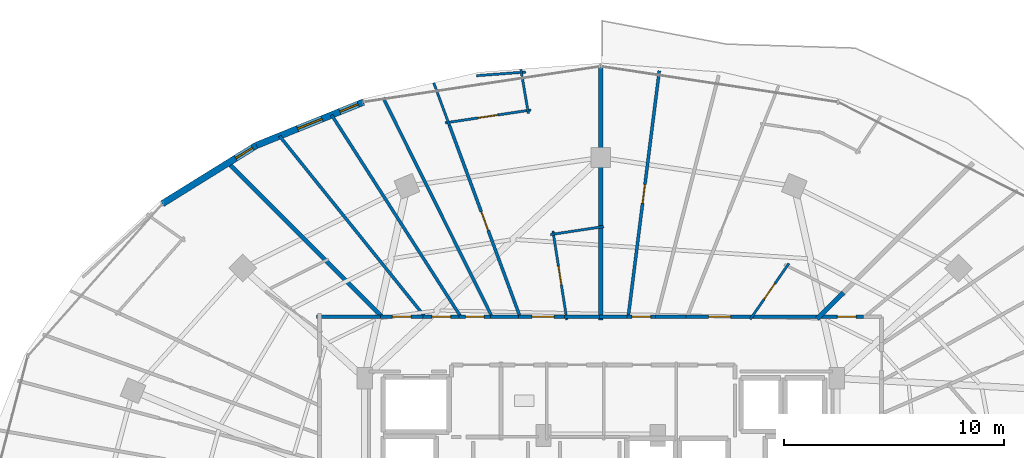
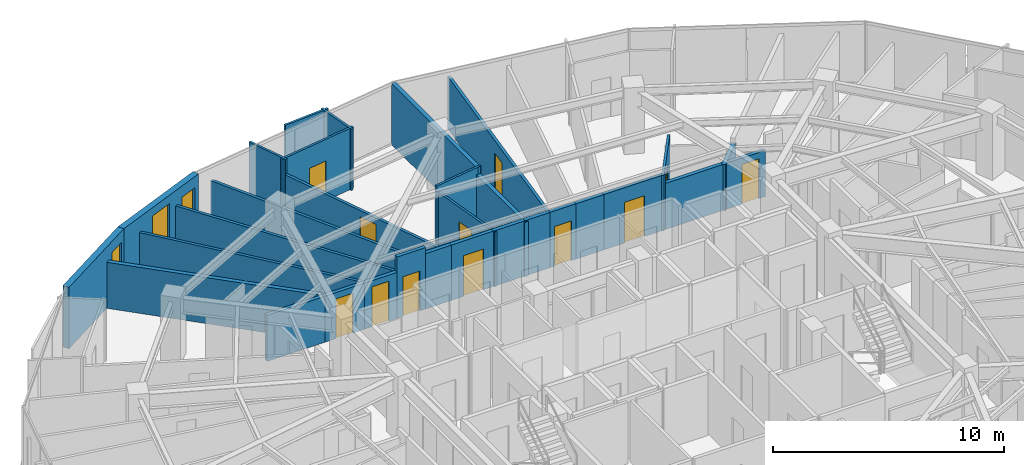
# One storey, part 30 of 34: 31 walls, 12 doors, 3 windows, 15 openings.
"""IFC4 building model written with IfcOpenShell, lengths in metres."""

from ifc_helpers import new_model, si_unit, direction, frame, frame_2d, origin, place, context, subcontext, project, spatial, rectangle, extrude, material, layer, layer_set, type_object, element, fill, save


model = new_model("IFC4")

# Units and contexts
model_context = context("Model", 3, precision=1e-05, world=origin(), true_north=direction((0.0, 1.0)))
body_context = subcontext(model_context, "Body", "Model", "MODEL_VIEW")
ifc_project = project(units=[si_unit("LENGTHUNIT", "METRE"), si_unit("AREAUNIT", "SQUARE_METRE"), si_unit("VOLUMEUNIT", "CUBIC_METRE"), si_unit("PLANEANGLEUNIT", "RADIAN"), si_unit("MASSUNIT", "GRAM", prefix="KILO")], contexts=[model_context])

# Site, building, storey
site_placement = place(None, origin())
site = spatial("IfcSite", under=ifc_project, at=site_placement, CompositionType="ELEMENT")
building_placement = place(site_placement, origin())
building = spatial("IfcBuilding", under=site, at=building_placement, Name="Vorneva Point Tower", CompositionType="ELEMENT")
storey_placement = place(building_placement, frame((0.0, 0.0, 186.10009765625)))
storey = spatial("IfcBuildingStorey", under=building, at=storey_placement, Name="L50", CompositionType="ELEMENT", Elevation=186.10009765625)

# Wall, openings, windows
ifc_material_1 = material(Name="Precast concrete B50 (C40/50)", Category="concrete")
ifc_layer_1 = layer(ifc_material_1, 0.300048828125)
ifc_layer_set_1 = layer_set([ifc_layer_1], Name="Precast concrete B50 (C40/50)")
wall_type_1 = type_object("IfcWallType", Name="WL-EXT-300", PredefinedType="STANDARD", material=ifc_layer_set_1)
wall_1_placement = place(storey_placement, frame((27.19677734375, 45.724853515625, 0.0), z_axis=(0.0, 0.0, 1.0), x_axis=(-0.927111094334, -0.374786630981, 0.0)))
wall_1 = element("IfcWall", 1, at=wall_1_placement, inside=storey, type_object=wall_type_1, Name="L50 Pale-Metal Facade Spandrel Wall 06.1", PredefinedType="STANDARD", context=body_context, shape_type="SweptSolid", body=[
    extrude(rectangle(XDim=5.26416015625, YDim=0.300048828125, at=frame_2d((2.632080078125, 0.0))), origin(), (0.0, 0.0, 1.0), 3.239990234375),
])
opening_1_placement = place(wall_1_placement, frame((0.25830078125, 0.0, 0.85009765625)))
opening_1 = element("IfcOpeningElement", 2, at=opening_1_placement, cuts=wall_1, Name="Opening W-08", PredefinedType="OPENING", context=body_context, shape_type="SweptSolid", body=[
    extrude(rectangle(XDim=0.89990234375, YDim=1.800048828125, at=frame_2d((0.449951171875, 0.89990234375))), frame((0.0, 0.1650390625, 0.0), z_axis=(0.0, -1.0, 0.0), x_axis=(1.0, 0.0, 0.0)), (0.0, 0.0, 1.0), 0.329833984375),
])
opening_2_placement = place(wall_1_placement, frame((2.031982421875, 0.0, 0.85009765625)))
opening_2 = element("IfcOpeningElement", 3, at=opening_2_placement, cuts=wall_1, Name="Opening W-04", PredefinedType="OPENING", context=body_context, shape_type="SweptSolid", body=[
    extrude(rectangle(XDim=1.199951171875, YDim=1.949951171875, at=frame_2d((0.60009765625, 0.97509765625))), frame((0.0, 0.1650390625, 0.0), z_axis=(0.0, -1.0, 0.0), x_axis=(1.0, 0.0, 0.0)), (0.0, 0.0, 1.0), 0.329833984375),
])
ifc_material_2 = material(Name="Double low-e laminated glass IGU", Category="glass")
window_type_1 = type_object("IfcWindowType", Name="WN-CAS-900", PartitioningType="SINGLE_PANEL", PredefinedType="WINDOW", material=ifc_material_2)
window_1_placement = place(opening_1_placement, origin())
window_1 = element("IfcWindow", 4, at=window_1_placement, inside=storey, type_object=window_type_1, Name="L50 Dwelling Vision Window 01", OverallHeight=1.800048828125, OverallWidth=0.89990234375, PartitioningType="SINGLE_PANEL", PredefinedType="WINDOW", context=body_context, shape_type="SweptSolid", body=[
    extrude(rectangle(XDim=0.89990234375, YDim=1.800048828125, at=frame_2d((0.449951171875, 0.89990234375))), frame((0.0, 0.030029296875, 0.0), z_axis=(0.0, -1.0, 0.0), x_axis=(1.0, 0.0, 0.0)), (0.0, 0.0, 1.0), 0.06005859375),
])
fill(opening_1, window_1)
window_type_2 = type_object("IfcWindowType", Name="WN-RES-1200", PartitioningType="SINGLE_PANEL", PredefinedType="WINDOW", material=ifc_material_2)
window_2_placement = place(opening_2_placement, origin())
window_2 = element("IfcWindow", 5, at=window_2_placement, inside=storey, type_object=window_type_2, Name="L50 Dwelling Vision Window 02", OverallHeight=1.949951171875, OverallWidth=1.199951171875, PartitioningType="SINGLE_PANEL", PredefinedType="WINDOW", context=body_context, shape_type="SweptSolid", body=[
    extrude(rectangle(XDim=1.199951171875, YDim=1.949951171875, at=frame_2d((0.60009765625, 0.97509765625))), frame((0.0, 0.030029296875, 0.0), z_axis=(0.0, -1.0, 0.0), x_axis=(1.0, 0.0, 0.0)), (0.0, 0.0, 1.0), 0.06005859375),
])
fill(opening_2, window_2)

# Wall, opening, window
wall_2_placement = place(storey_placement, frame((22.31640625, 43.751953125, 0.0), z_axis=(0.0, 0.0, 1.0), x_axis=(-0.849647657754, -0.527350791858, 0.0)))
wall_2 = element("IfcWall", 6, at=wall_2_placement, inside=storey, type_object=wall_type_1, Name="L50 Pale-Metal Facade Spandrel Wall 06.2", PredefinedType="STANDARD", context=body_context, shape_type="SweptSolid", body=[
    extrude(rectangle(XDim=5.03515625, YDim=0.300048828125, at=frame_2d((2.517578125, 0.0))), origin(), (0.0, 0.0, 1.0), 3.239990234375),
])
opening_3_placement = place(wall_2_placement, frame((0.19921875, 0.0, 0.85009765625)))
opening_3 = element("IfcOpeningElement", 7, at=opening_3_placement, cuts=wall_2, Name="Opening W-08", PredefinedType="OPENING", context=body_context, shape_type="SweptSolid", body=[
    extrude(rectangle(XDim=0.89990234375, YDim=1.800048828125, at=frame_2d((0.449951171875, 0.89990234375))), frame((0.0, 0.1650390625, 0.0), z_axis=(0.0, -1.0, 0.0), x_axis=(1.0, 0.0, 0.0)), (0.0, 0.0, 1.0), 0.329833984375),
])
window_3_placement = place(opening_3_placement, origin())
window_3 = element("IfcWindow", 8, at=window_3_placement, inside=storey, type_object=window_type_1, Name="L50 Dwelling Vision Window 03", OverallHeight=1.800048828125, OverallWidth=0.89990234375, PartitioningType="SINGLE_PANEL", PredefinedType="WINDOW", context=body_context, shape_type="SweptSolid", body=[
    extrude(rectangle(XDim=0.89990234375, YDim=1.800048828125, at=frame_2d((0.449951171875, 0.89990234375))), frame((0.0, 0.030029296875, 0.0), z_axis=(0.0, -1.0, 0.0), x_axis=(1.0, 0.0, 0.0)), (0.0, 0.0, 1.0), 0.06005859375),
])
fill(opening_3, window_3)

# Wall, opening, door
ifc_material_3 = material(Name="Fire-rated acoustic gypsum stud partition", Category="gypsum")
ifc_layer_2 = layer(ifc_material_3, 0.110107421875)
ifc_layer_set_2 = layer_set([ifc_layer_2], Name="Fire-rated acoustic gypsum stud partition")
wall_type_2 = type_object("IfcWallType", Name="WL-PART-110", PredefinedType="PARTITIONING", material=ifc_layer_set_2)
wall_3_placement = place(storey_placement, frame((44.811279296875, 35.8349609375, 0.0), z_axis=(0.0, 0.0, 1.0), x_axis=(0.569300192805, 0.822129728493, 0.0)))
wall_3 = element("IfcWall", 9, at=wall_3_placement, inside=storey, type_object=wall_type_2, Name="L50 Interior Partition 117", PredefinedType="PARTITIONING", context=body_context, shape_type="SweptSolid", body=[
    extrude(rectangle(XDim=3.095703125, YDim=0.110107421875, at=frame_2d((1.5478515625, 0.0))), origin(), (0.0, 0.0, 1.0), 2.921875),
])
opening_4_placement = place(wall_3_placement, frame((1.122802734375, 0.0, 0.0)))
opening_4 = element("IfcOpeningElement", 10, at=opening_4_placement, cuts=wall_3, Name="Opening ID-02", PredefinedType="OPENING", context=body_context, shape_type="SweptSolid", body=[
    extrude(rectangle(XDim=0.85009765625, YDim=2.10009765625, at=frame_2d((0.425048828125, 1.050048828125))), frame((0.0, 0.06982421875, 0.0), z_axis=(0.0, -1.0, 0.0), x_axis=(1.0, 0.0, 0.0)), (0.0, 0.0, 1.0), 0.139892578125),
])
ifc_material_4 = material(Name="Engineered oak fire-rated door leaf", Category="wood")
door_type_1 = type_object("IfcDoorType", Name="DR-BATH-850", OperationType="NOTDEFINED", PredefinedType="DOOR", material=ifc_material_4)
door_1_placement = place(opening_4_placement, origin())
door_1 = element("IfcDoor", 11, at=door_1_placement, inside=storey, type_object=door_type_1, Name="L50 Door Living and Dining Room L50-02 / Bathroom L50-02", OperationType="SINGLE_SWING_LEFT", OverallHeight=2.10009765625, OverallWidth=0.85009765625, PredefinedType="DOOR", context=body_context, shape_type="SweptSolid", body=[
    extrude(rectangle(XDim=0.85009765625, YDim=2.10009765625, at=frame_2d((0.425048828125, 1.050048828125))), frame((0.0, 0.02490234375, 0.0), z_axis=(0.0, -1.0, 0.0), x_axis=(1.0, 0.0, 0.0)), (0.0, 0.0, 1.0), 0.050048828125),
])
fill(opening_4, door_1)

wall_4_placement = place(storey_placement, frame((36.461669921875, 35.811767578125, 0.0), z_axis=(0.0, 0.0, 1.0), x_axis=(-0.154883213323, 0.987932786292, 0.0)))
wall_4 = element("IfcWall", 12, at=wall_4_placement, inside=storey, type_object=wall_type_2, Name="L50 Interior Partition 128", PredefinedType="PARTITIONING", context=body_context, shape_type="SweptSolid", body=[
    extrude(rectangle(XDim=4.0888671875, YDim=0.110107421875, at=frame_2d((2.04443359375, 0.0))), origin(), (0.0, 0.0, 1.0), 2.8740234375),
])
opening_5_placement = place(wall_4_placement, frame((1.619384765625, 0.0, 0.0)))
opening_5 = element("IfcOpeningElement", 13, at=opening_5_placement, cuts=wall_4, Name="Opening ID-02", PredefinedType="OPENING", context=body_context, shape_type="SweptSolid", body=[
    extrude(rectangle(XDim=0.85009765625, YDim=2.10009765625, at=frame_2d((0.425048828125, 1.050048828125))), frame((0.0, 0.06982421875, 0.0), z_axis=(0.0, -1.0, 0.0), x_axis=(1.0, 0.0, 0.0)), (0.0, 0.0, 1.0), 0.139892578125),
])
door_2_placement = place(opening_5_placement, origin())
door_2 = element("IfcDoor", 14, at=door_2_placement, inside=storey, type_object=door_type_1, Name="L50 Door Living and Dining Room L50-03 / Bathroom L50-03", OperationType="SINGLE_SWING_RIGHT", OverallHeight=2.10009765625, OverallWidth=0.85009765625, PredefinedType="DOOR", context=body_context, shape_type="SweptSolid", body=[
    extrude(rectangle(XDim=0.85009765625, YDim=2.10009765625, at=frame_2d((0.425048828125, 1.050048828125))), frame((0.0, 0.02490234375, 0.0), z_axis=(0.0, -1.0, 0.0), x_axis=(1.0, 0.0, 0.0)), (0.0, 0.0, 1.0), 0.050048828125),
])
fill(opening_5, door_2)

# Walls
wall_5_placement = place(storey_placement, frame((35.711669921875, 39.692138671875, 0.0), z_axis=(0.0, 0.0, 1.0), x_axis=(0.988892526147, 0.148632337431, 0.0)))
element("IfcWall", 15, at=wall_5_placement, inside=storey, type_object=wall_type_2, Name="L50 Interior Partition 129", PredefinedType="PARTITIONING", context=body_context, shape_type="SweptSolid", body=[
    extrude(rectangle(XDim=2.4541015625, YDim=0.110107421875, at=frame_2d((1.22705078125, 0.0))), origin(), (0.0, 0.0, 1.0), 3.239990234375),
])
wall_6_placement = place(storey_placement, frame((34.365478515625, 47.218017578125, 0.0), z_axis=(0.0, 0.0, 1.0), x_axis=(0.168804313657, -0.985649584635, 0.0)))
element("IfcWall", 16, at=wall_6_placement, inside=storey, type_object=wall_type_2, Name="L50 Interior Partition 130", PredefinedType="PARTITIONING", context=body_context, shape_type="SweptSolid", body=[
    extrude(rectangle(XDim=2.039306640625, YDim=0.110107421875, at=frame_2d((1.01953125, 0.0))), origin(), (0.0, 0.0, 1.0), 3.239990234375),
])

# Wall, opening, door
wall_7_placement = place(storey_placement, frame((34.824462890625, 45.36669921875, 0.0), z_axis=(0.0, 0.0, 1.0), x_axis=(-0.988877230123, -0.148734070555, 0.0)))
wall_7 = element("IfcWall", 17, at=wall_7_placement, inside=storey, type_object=wall_type_2, Name="L50 Interior Partition 131", PredefinedType="PARTITIONING", context=body_context, shape_type="SweptSolid", body=[
    extrude(rectangle(XDim=3.94287109375, YDim=0.110107421875, at=frame_2d((1.971435546875, 0.0))), origin(), (0.0, 0.0, 1.0), 3.239990234375),
])
opening_6_placement = place(wall_7_placement, frame((1.521240234375, 0.0, 0.0)))
opening_6 = element("IfcOpeningElement", 18, at=opening_6_placement, cuts=wall_7, Name="Opening ID-01", PredefinedType="OPENING", context=body_context, shape_type="SweptSolid", body=[
    extrude(rectangle(XDim=0.89990234375, YDim=2.10009765625, at=frame_2d((0.449951171875, 1.050048828125))), frame((0.0, 0.06982421875, 0.0), z_axis=(0.0, -1.0, 0.0), x_axis=(1.0, 0.0, 0.0)), (0.0, 0.0, 1.0), 0.139892578125),
])
door_type_2 = type_object("IfcDoorType", Name="DR-ROOM-900", OperationType="NOTDEFINED", PredefinedType="DOOR", material=ifc_material_4)
door_3_placement = place(opening_6_placement, origin())
door_3 = element("IfcDoor", 19, at=door_3_placement, inside=storey, type_object=door_type_2, Name="L50 Door Living and Dining Room L50-03 / Kitchen L50-03", OperationType="SINGLE_SWING_LEFT", OverallHeight=2.10009765625, OverallWidth=0.89990234375, PredefinedType="DOOR", context=body_context, shape_type="SweptSolid", body=[
    extrude(rectangle(XDim=0.89990234375, YDim=2.10009765625, at=frame_2d((0.449951171875, 1.050048828125))), frame((0.0, 0.02490234375, 0.0), z_axis=(0.0, -1.0, 0.0), x_axis=(1.0, 0.0, 0.0)), (0.0, 0.0, 1.0), 0.050048828125),
])
fill(opening_6, door_3)

# Walls
wall_8_placement = place(storey_placement, frame((31.112548828125, 44.669677734375, 0.0), z_axis=(0.0, 0.0, 1.0), x_axis=(-0.346337161188, 0.938110105894, 0.0)))
element("IfcWall", 20, at=wall_8_placement, inside=storey, type_object=wall_type_2, Name="L50 Interior Partition 132", PredefinedType="PARTITIONING", context=body_context, shape_type="SweptSolid", body=[
    extrude(rectangle(XDim=2.05908203125, YDim=0.110107421875, at=frame_2d((1.029541015625, 0.0))), origin(), (0.0, 0.0, 1.0), 3.239990234375),
])
wall_9_placement = place(storey_placement, frame((34.588623046875, 47.095458984375, 0.0), z_axis=(0.0, 0.0, 1.0), x_axis=(-0.997205784552, -0.074703569226, 0.0)))
element("IfcWall", 21, at=wall_9_placement, inside=storey, type_object=wall_type_2, Name="L50 Interior Partition 133", PredefinedType="PARTITIONING", context=body_context, shape_type="SweptSolid", body=[
    extrude(rectangle(XDim=2.24853515625, YDim=0.110107421875, at=frame_2d((1.124267578125, 0.0))), origin(), (0.0, 0.0, 1.0), 3.239990234375),
])

# Wall, opening, door
ifc_layer_3 = layer(ifc_material_3, 0.139892578125)
ifc_layer_set_3 = layer_set([ifc_layer_3], Name="Fire-rated acoustic gypsum stud partition")
wall_type_3 = type_object("IfcWallType", Name="WL-PART-140", PredefinedType="PARTITIONING", material=ifc_layer_set_3)
wall_10_placement = place(storey_placement, frame((40.672119140625, 47.14990234375, 0.0), z_axis=(0.0, 0.0, 1.0), x_axis=(-0.125346852027, -0.992112980808, 0.0)))
wall_10 = element("IfcWall", 22, at=wall_10_placement, inside=storey, type_object=wall_type_3, Name="L50 Interior Partition 125", PredefinedType="PARTITIONING", context=body_context, shape_type="SweptSolid", body=[
    extrude(rectangle(XDim=11.2890625, YDim=0.139892578125, at=frame_2d((5.64453125, 0.0))), origin(), (0.0, 0.0, 1.0), 2.77392578125),
])
opening_7_placement = place(wall_10_placement, frame((5.219482421875, 0.0, 0.0)))
opening_7 = element("IfcOpeningElement", 23, at=opening_7_placement, cuts=wall_10, Name="Opening ID-02", PredefinedType="OPENING", context=body_context, shape_type="SweptSolid", body=[
    extrude(rectangle(XDim=0.85009765625, YDim=2.10009765625, at=frame_2d((0.425048828125, 1.050048828125))), frame((0.0, 0.0849609375, 0.0), z_axis=(0.0, -1.0, 0.0), x_axis=(1.0, 0.0, 0.0)), (0.0, 0.0, 1.0), 0.169677734375),
])
door_4_placement = place(opening_7_placement, origin())
door_4 = element("IfcDoor", 24, at=door_4_placement, inside=storey, type_object=door_type_1, Name="L50 Access Door Bedroom L50-02.2", OperationType="SINGLE_SWING_RIGHT", OverallHeight=2.10009765625, OverallWidth=0.85009765625, PredefinedType="DOOR", context=body_context, shape_type="SweptSolid", body=[
    extrude(rectangle(XDim=0.85009765625, YDim=2.10009765625, at=frame_2d((0.425048828125, 1.050048828125))), frame((0.0, 0.02490234375, 0.0), z_axis=(0.0, -1.0, 0.0), x_axis=(1.0, 0.0, 0.0)), (0.0, 0.0, 1.0), 0.050048828125),
])
fill(opening_7, door_4)

wall_11_placement = place(storey_placement, frame((31.1123046875, 44.669677734375, 0.0), z_axis=(0.0, 0.0, 1.0), x_axis=(0.346109472243, -0.938194134081, 0.0)))
wall_11 = element("IfcWall", 25, at=wall_11_placement, inside=storey, type_object=wall_type_3, Name="L50 Interior Partition 134", PredefinedType="PARTITIONING", context=body_context, shape_type="SweptSolid", body=[
    extrude(rectangle(XDim=9.294189453125, YDim=0.139892578125, at=frame_2d((4.64697265625, 0.0))), origin(), (0.0, 0.0, 1.0), 2.431884765625),
])
opening_8_placement = place(wall_11_placement, frame((4.197021484375, 0.0, 0.0)))
opening_8 = element("IfcOpeningElement", 26, at=opening_8_placement, cuts=wall_11, Name="Opening ID-01", PredefinedType="OPENING", context=body_context, shape_type="SweptSolid", body=[
    extrude(rectangle(XDim=0.89990234375, YDim=2.10009765625, at=frame_2d((0.449951171875, 1.050048828125))), frame((0.0, 0.0849609375, 0.0), z_axis=(0.0, -1.0, 0.0), x_axis=(1.0, 0.0, 0.0)), (0.0, 0.0, 1.0), 0.169677734375),
])
door_5_placement = place(opening_8_placement, origin())
door_5 = element("IfcDoor", 27, at=door_5_placement, inside=storey, type_object=door_type_2, Name="L50 Door Living and Dining Room L50-03 / Master Bedroom L50-03.1", OperationType="SINGLE_SWING_RIGHT", OverallHeight=2.10009765625, OverallWidth=0.89990234375, PredefinedType="DOOR", context=body_context, shape_type="SweptSolid", body=[
    extrude(rectangle(XDim=0.89990234375, YDim=2.10009765625, at=frame_2d((0.449951171875, 1.050048828125))), frame((0.0, 0.02490234375, 0.0), z_axis=(0.0, -1.0, 0.0), x_axis=(1.0, 0.0, 0.0)), (0.0, 0.0, 1.0), 0.050048828125),
])
fill(opening_8, door_5)

# Walls
wall_12_placement = place(storey_placement, frame((28.091064453125, 45.927978515625, 0.0), z_axis=(0.0, 0.0, 1.0), x_axis=(0.445267068418, -0.895397809793, 0.0)))
element("IfcWall", 28, at=wall_12_placement, inside=storey, type_object=wall_type_3, Name="L50 Interior Partition 135", PredefinedType="PARTITIONING", context=body_context, shape_type="SweptSolid", body=[
    extrude(rectangle(XDim=11.143798828125, YDim=0.139892578125, at=frame_2d((5.57177734375, 0.0))), origin(), (0.0, 0.0, 1.0), 2.431884765625),
])
wall_13_placement = place(storey_placement, frame((25.7490234375, 45.137939453125, 0.0), z_axis=(0.0, 0.0, 1.0), x_axis=(0.539168632786, -0.842197830335, 0.0)))
element("IfcWall", 29, at=wall_13_placement, inside=storey, type_object=wall_type_3, Name="L50 Interior Partition 136", PredefinedType="PARTITIONING", context=body_context, shape_type="SweptSolid", body=[
    extrude(rectangle(XDim=10.909423828125, YDim=0.139892578125, at=frame_2d((5.45458984375, 0.0))), origin(), (0.0, 0.0, 1.0), 2.431884765625),
])
wall_14_placement = place(storey_placement, frame((23.3779296875, 44.177978515625, 0.0), z_axis=(0.0, 0.0, 1.0), x_axis=(0.626756813732, -0.779214923137, 0.0)))
element("IfcWall", 30, at=wall_14_placement, inside=storey, type_object=wall_type_3, Name="L50 Interior Partition 137", PredefinedType="PARTITIONING", context=body_context, shape_type="SweptSolid", body=[
    extrude(rectangle(XDim=10.559326171875, YDim=0.139892578125, at=frame_2d((5.27978515625, 0.0))), origin(), (0.0, 0.0, 1.0), 2.431884765625),
])

# Wall, opening, door
ifc_material_5 = material(Name="Autoclaved aerated concrete blockwork", Category="masonry")
ifc_layer_4 = layer(ifc_material_5, 0.179931640625)
ifc_layer_set_4 = layer_set([ifc_layer_4], Name="Autoclaved aerated concrete blockwork")
wall_type_4 = type_object("IfcWallType", Name="WL-PART-180", PredefinedType="PARTITIONING", material=ifc_layer_set_4)
wall_15_placement = place(storey_placement, frame((49.967041015625, 35.949951171875, 0.0), z_axis=(0.0, 0.0, 1.0), x_axis=(-1.0, 0.0, 0.0)))
wall_15 = element("IfcWall", 31, at=wall_15_placement, inside=storey, type_object=wall_type_4, Name="L50 Interior Partition 044", PredefinedType="PARTITIONING", context=body_context, shape_type="SweptSolid", body=[
    extrude(rectangle(XDim=2.0771484375, YDim=0.179931640625, at=frame_2d((1.03857421875, 0.0))), origin(), (0.0, 0.0, 1.0), 2.431884765625),
])
opening_9_placement = place(wall_15_placement, frame((0.33349609375, 0.0, 0.0)))
opening_9 = element("IfcOpeningElement", 32, at=opening_9_placement, cuts=wall_15, Name="Opening ID-02", PredefinedType="OPENING", context=body_context, shape_type="SweptSolid", body=[
    extrude(rectangle(XDim=0.85009765625, YDim=2.10009765625, at=frame_2d((0.425048828125, 1.050048828125))), frame((0.0, 0.10498046875, 0.0), z_axis=(0.0, -1.0, 0.0), x_axis=(1.0, 0.0, 0.0)), (0.0, 0.0, 1.0), 0.209716796875),
])
door_6_placement = place(opening_9_placement, origin())
door_6 = element("IfcDoor", 33, at=door_6_placement, inside=storey, type_object=door_type_1, Name="L50 Access Door L50 Circulation Corridor", OperationType="SINGLE_SWING_RIGHT", OverallHeight=2.10009765625, OverallWidth=0.85009765625, PredefinedType="DOOR", context=body_context, shape_type="SweptSolid", body=[
    extrude(rectangle(XDim=0.85009765625, YDim=2.10009765625, at=frame_2d((0.425048828125, 1.050048828125))), frame((0.0, 0.02490234375, 0.0), z_axis=(0.0, -1.0, 0.0), x_axis=(1.0, 0.0, 0.0)), (0.0, 0.0, 1.0), 0.050048828125),
])
fill(opening_9, door_6)

wall_16_placement = place(storey_placement, frame((44.964111328125, 35.949951171875, 0.0), z_axis=(0.0, 0.0, 1.0), x_axis=(-1.0, 0.0, 0.0)))
wall_16 = element("IfcWall", 34, at=wall_16_placement, inside=storey, type_object=wall_type_4, Name="L50 Interior Partition 045", PredefinedType="PARTITIONING", context=body_context, shape_type="SweptSolid", body=[
    extrude(rectangle(XDim=3.085205078125, YDim=0.179931640625, at=frame_2d((1.54248046875, 0.0))), origin(), (0.0, 0.0, 1.0), 2.921875),
])
opening_10_placement = place(wall_16_placement, frame((1.04248046875, 0.0, 0.0)))
opening_10 = element("IfcOpeningElement", 35, at=opening_10_placement, cuts=wall_16, Name="Opening UD-01", PredefinedType="OPENING", context=body_context, shape_type="SweptSolid", body=[
    extrude(rectangle(XDim=1.0, YDim=2.14990234375, at=frame_2d((0.5, 1.074951171875))), frame((0.0, 0.10498046875, 0.0), z_axis=(0.0, -1.0, 0.0), x_axis=(1.0, 0.0, 0.0)), (0.0, 0.0, 1.0), 0.209716796875),
])
door_type_3 = type_object("IfcDoorType", Name="DR-UNIT-1000", OperationType="NOTDEFINED", PredefinedType="DOOR", material=ifc_material_4)
door_7_placement = place(opening_10_placement, origin())
door_7 = element("IfcDoor", 36, at=door_7_placement, inside=storey, type_object=door_type_3, Name="L50 Door L50 Circulation Corridor / Living and Dining Room L50-02", OperationType="SINGLE_SWING_LEFT", OverallHeight=2.14990234375, OverallWidth=1.0, PredefinedType="DOOR", context=body_context, shape_type="SweptSolid", body=[
    extrude(rectangle(XDim=1.0, YDim=2.14990234375, at=frame_2d((0.5, 1.074951171875))), frame((0.0, 0.02490234375, 0.0), z_axis=(0.0, -1.0, 0.0), x_axis=(1.0, 0.0, 0.0)), (0.0, 0.0, 1.0), 0.050048828125),
])
fill(opening_10, door_7)

# Walls
wall_17_placement = place(storey_placement, frame((48.030029296875, 35.949951171875, 0.0), z_axis=(0.0, 0.0, 1.0), x_axis=(-1.0, 0.0, 0.0)))
element("IfcWall", 37, at=wall_17_placement, inside=storey, type_object=wall_type_4, Name="L50 Interior Partition 046", PredefinedType="PARTITIONING", context=body_context, shape_type="SweptSolid", body=[
    extrude(rectangle(XDim=3.2060546875, YDim=0.179931640625, at=frame_2d((1.60302734375, 0.0))), origin(), (0.0, 0.0, 1.0), 2.431884765625),
])
wall_18_placement = place(storey_placement, frame((41.87890625, 35.949951171875, 0.0), z_axis=(0.0, 0.0, 1.0), x_axis=(-1.0, 0.0, 0.0)))
element("IfcWall", 38, at=wall_18_placement, inside=storey, type_object=wall_type_4, Name="L50 Interior Partition 047", PredefinedType="PARTITIONING", context=body_context, shape_type="SweptSolid", body=[
    extrude(rectangle(XDim=1.3837890625, YDim=0.179931640625, at=frame_2d((0.69189453125, 0.0))), origin(), (0.0, 0.0, 1.0), 2.921875),
])

# Wall, opening, door
wall_19_placement = place(storey_placement, frame((40.4951171875, 35.949951171875, 0.0), z_axis=(0.0, 0.0, 1.0), x_axis=(-1.0, 0.0, 0.0)))
wall_19 = element("IfcWall", 39, at=wall_19_placement, inside=storey, type_object=wall_type_4, Name="L50 Interior Partition 048", PredefinedType="PARTITIONING", context=body_context, shape_type="SweptSolid", body=[
    extrude(rectangle(XDim=1.298095703125, YDim=0.179931640625, at=frame_2d((0.64892578125, 0.0))), origin(), (0.0, 0.0, 1.0), 2.921875),
])
opening_11_placement = place(wall_19_placement, frame((0.22412109375, 0.0, 0.0)))
opening_11 = element("IfcOpeningElement", 40, at=opening_11_placement, cuts=wall_19, Name="Opening ID-02", PredefinedType="OPENING", context=body_context, shape_type="SweptSolid", body=[
    extrude(rectangle(XDim=0.85009765625, YDim=2.10009765625, at=frame_2d((0.425048828125, 1.050048828125))), frame((0.0, 0.10498046875, 0.0), z_axis=(0.0, -1.0, 0.0), x_axis=(1.0, 0.0, 0.0)), (0.0, 0.0, 1.0), 0.209716796875),
])
door_8_placement = place(opening_11_placement, origin())
door_8 = element("IfcDoor", 41, at=door_8_placement, inside=storey, type_object=door_type_1, Name="L50 Access Door L50 Circulation Corridor", OperationType="SINGLE_SWING_LEFT", OverallHeight=2.10009765625, OverallWidth=0.85009765625, PredefinedType="DOOR", context=body_context, shape_type="SweptSolid", body=[
    extrude(rectangle(XDim=0.85009765625, YDim=2.10009765625, at=frame_2d((0.425048828125, 1.050048828125))), frame((0.0, 0.02490234375, 0.0), z_axis=(0.0, -1.0, 0.0), x_axis=(1.0, 0.0, 0.0)), (0.0, 0.0, 1.0), 0.050048828125),
])
fill(opening_11, door_8)

# Wall
wall_20_placement = place(storey_placement, frame((39.197021484375, 35.949951171875, 0.0), z_axis=(0.0, 0.0, 1.0), x_axis=(-1.0, 0.0, 0.0)))
element("IfcWall", 42, at=wall_20_placement, inside=storey, type_object=wall_type_4, Name="L50 Interior Partition 049", PredefinedType="PARTITIONING", context=body_context, shape_type="SweptSolid", body=[
    extrude(rectangle(XDim=1.257080078125, YDim=0.179931640625, at=frame_2d((0.62841796875, 0.0))), origin(), (0.0, 0.0, 1.0), 2.921875),
])

# Wall, opening, door
wall_21_placement = place(storey_placement, frame((36.5, 35.949951171875, 0.0), z_axis=(0.0, 0.0, 1.0), x_axis=(-1.0, 0.0, 0.0)))
wall_21 = element("IfcWall", 43, at=wall_21_placement, inside=storey, type_object=wall_type_4, Name="L50 Interior Partition 050", PredefinedType="PARTITIONING", context=body_context, shape_type="SweptSolid", body=[
    extrude(rectangle(XDim=2.235107421875, YDim=0.179931640625, at=frame_2d((1.11767578125, 0.0))), origin(), (0.0, 0.0, 1.0), 2.921875),
])
opening_12_placement = place(wall_21_placement, frame((0.617431640625, 0.0, 0.0)))
opening_12 = element("IfcOpeningElement", 44, at=opening_12_placement, cuts=wall_21, Name="Opening UD-01", PredefinedType="OPENING", context=body_context, shape_type="SweptSolid", body=[
    extrude(rectangle(XDim=1.0, YDim=2.14990234375, at=frame_2d((0.5, 1.074951171875))), frame((0.0, 0.10498046875, 0.0), z_axis=(0.0, -1.0, 0.0), x_axis=(1.0, 0.0, 0.0)), (0.0, 0.0, 1.0), 0.209716796875),
])
door_9_placement = place(opening_12_placement, origin())
door_9 = element("IfcDoor", 45, at=door_9_placement, inside=storey, type_object=door_type_3, Name="L50 Door L50 Circulation Corridor / Living and Dining Room L50-03", OperationType="SINGLE_SWING_RIGHT", OverallHeight=2.14990234375, OverallWidth=1.0, PredefinedType="DOOR", context=body_context, shape_type="SweptSolid", body=[
    extrude(rectangle(XDim=1.0, YDim=2.14990234375, at=frame_2d((0.5, 1.074951171875))), frame((0.0, 0.02490234375, 0.0), z_axis=(0.0, -1.0, 0.0), x_axis=(1.0, 0.0, 0.0)), (0.0, 0.0, 1.0), 0.050048828125),
])
fill(opening_12, door_9)

# Walls
wall_22_placement = place(storey_placement, frame((38.080078125, 35.949951171875, 0.0), z_axis=(0.0, 0.0, 1.0), x_axis=(-1.0, 0.0, 0.0)))
element("IfcWall", 46, at=wall_22_placement, inside=storey, type_object=wall_type_4, Name="L50 Interior Partition 051", PredefinedType="PARTITIONING", context=body_context, shape_type="SweptSolid", body=[
    extrude(rectangle(XDim=1.719970703125, YDim=0.179931640625, at=frame_2d((0.85986328125, 0.0))), origin(), (0.0, 0.0, 1.0), 2.921875),
])
wall_23_placement = place(storey_placement, frame((34.264892578125, 35.949951171875, 0.0), z_axis=(0.0, 0.0, 1.0), x_axis=(-1.0, 0.0, 0.0)))
element("IfcWall", 47, at=wall_23_placement, inside=storey, type_object=wall_type_4, Name="L50 Interior Partition 052", PredefinedType="PARTITIONING", context=body_context, shape_type="SweptSolid", body=[
    extrude(rectangle(XDim=1.27880859375, YDim=0.179931640625, at=frame_2d((0.639404296875, 0.0))), origin(), (0.0, 0.0, 1.0), 2.921875),
])

# Wall, opening, door
wall_24_placement = place(storey_placement, frame((32.986083984375, 35.949951171875, 0.0), z_axis=(0.0, 0.0, 1.0), x_axis=(-1.0, 0.0, 0.0)))
wall_24 = element("IfcWall", 48, at=wall_24_placement, inside=storey, type_object=wall_type_4, Name="L50 Interior Partition 053", PredefinedType="PARTITIONING", context=body_context, shape_type="SweptSolid", body=[
    extrude(rectangle(XDim=1.426025390625, YDim=0.179931640625, at=frame_2d((0.712890625, 0.0))), origin(), (0.0, 0.0, 1.0), 3.239990234375),
])
opening_13_placement = place(wall_24_placement, frame((0.2880859375, 0.0, 0.0)))
opening_13 = element("IfcOpeningElement", 49, at=opening_13_placement, cuts=wall_24, Name="Opening ID-02", PredefinedType="OPENING", context=body_context, shape_type="SweptSolid", body=[
    extrude(rectangle(XDim=0.85009765625, YDim=2.10009765625, at=frame_2d((0.425048828125, 1.050048828125))), frame((0.0, 0.10498046875, 0.0), z_axis=(0.0, -1.0, 0.0), x_axis=(1.0, 0.0, 0.0)), (0.0, 0.0, 1.0), 0.209716796875),
])
door_10_placement = place(opening_13_placement, origin())
door_10 = element("IfcDoor", 50, at=door_10_placement, inside=storey, type_object=door_type_1, Name="L50 Access Door L50 Circulation Corridor", OperationType="SINGLE_SWING_RIGHT", OverallHeight=2.10009765625, OverallWidth=0.85009765625, PredefinedType="DOOR", context=body_context, shape_type="SweptSolid", body=[
    extrude(rectangle(XDim=0.85009765625, YDim=2.10009765625, at=frame_2d((0.425048828125, 1.050048828125))), frame((0.0, 0.02490234375, 0.0), z_axis=(0.0, -1.0, 0.0), x_axis=(1.0, 0.0, 0.0)), (0.0, 0.0, 1.0), 0.050048828125),
])
fill(opening_13, door_10)

wall_25_placement = place(storey_placement, frame((31.56005859375, 35.949951171875, 0.0), z_axis=(0.0, 0.0, 1.0), x_axis=(-1.0, 0.0, 0.0)))
wall_25 = element("IfcWall", 51, at=wall_25_placement, inside=storey, type_object=wall_type_4, Name="L50 Interior Partition 054", PredefinedType="PARTITIONING", context=body_context, shape_type="SweptSolid", body=[
    extrude(rectangle(XDim=1.64111328125, YDim=0.179931640625, at=frame_2d((0.820556640625, 0.0))), origin(), (0.0, 0.0, 1.0), 2.431884765625),
])
opening_14_placement = place(wall_25_placement, frame((0.3955078125, 0.0, 0.0)))
opening_14 = element("IfcOpeningElement", 52, at=opening_14_placement, cuts=wall_25, Name="Opening ID-02", PredefinedType="OPENING", context=body_context, shape_type="SweptSolid", body=[
    extrude(rectangle(XDim=0.85009765625, YDim=2.10009765625, at=frame_2d((0.425048828125, 1.050048828125))), frame((0.0, 0.10498046875, 0.0), z_axis=(0.0, -1.0, 0.0), x_axis=(1.0, 0.0, 0.0)), (0.0, 0.0, 1.0), 0.209716796875),
])
door_11_placement = place(opening_14_placement, origin())
door_11 = element("IfcDoor", 53, at=door_11_placement, inside=storey, type_object=door_type_1, Name="L50 Access Door L50 Circulation Corridor", OperationType="SINGLE_SWING_LEFT", OverallHeight=2.10009765625, OverallWidth=0.85009765625, PredefinedType="DOOR", context=body_context, shape_type="SweptSolid", body=[
    extrude(rectangle(XDim=0.85009765625, YDim=2.10009765625, at=frame_2d((0.425048828125, 1.050048828125))), frame((0.0, 0.02490234375, 0.0), z_axis=(0.0, -1.0, 0.0), x_axis=(1.0, 0.0, 0.0)), (0.0, 0.0, 1.0), 0.050048828125),
])
fill(opening_14, door_11)

wall_26_placement = place(storey_placement, frame((29.9189453125, 35.949951171875, 0.0), z_axis=(0.0, 0.0, 1.0), x_axis=(-1.0, 0.0, 0.0)))
wall_26 = element("IfcWall", 54, at=wall_26_placement, inside=storey, type_object=wall_type_4, Name="L50 Interior Partition 055", PredefinedType="PARTITIONING", context=body_context, shape_type="SweptSolid", body=[
    extrude(rectangle(XDim=1.953857421875, YDim=0.179931640625, at=frame_2d((0.97705078125, 0.0))), origin(), (0.0, 0.0, 1.0), 2.431884765625),
])
opening_15_placement = place(wall_26_placement, frame((0.552001953125, 0.0, 0.0)))
opening_15 = element("IfcOpeningElement", 55, at=opening_15_placement, cuts=wall_26, Name="Opening ID-02", PredefinedType="OPENING", context=body_context, shape_type="SweptSolid", body=[
    extrude(rectangle(XDim=0.85009765625, YDim=2.10009765625, at=frame_2d((0.425048828125, 1.050048828125))), frame((0.0, 0.10498046875, 0.0), z_axis=(0.0, -1.0, 0.0), x_axis=(1.0, 0.0, 0.0)), (0.0, 0.0, 1.0), 0.209716796875),
])
door_12_placement = place(opening_15_placement, origin())
door_12 = element("IfcDoor", 56, at=door_12_placement, inside=storey, type_object=door_type_1, Name="L50 Access Door L50 Circulation Corridor", OperationType="SINGLE_SWING_RIGHT", OverallHeight=2.10009765625, OverallWidth=0.85009765625, PredefinedType="DOOR", context=body_context, shape_type="SweptSolid", body=[
    extrude(rectangle(XDim=0.85009765625, YDim=2.10009765625, at=frame_2d((0.425048828125, 1.050048828125))), frame((0.0, 0.02490234375, 0.0), z_axis=(0.0, -1.0, 0.0), x_axis=(1.0, 0.0, 0.0)), (0.0, 0.0, 1.0), 0.050048828125),
])
fill(opening_15, door_12)

# Walls
wall_27_placement = place(storey_placement, frame((28.10498046875, 35.949951171875, 0.0), z_axis=(0.0, 0.0, 1.0), x_axis=(-1.0, 0.0, 0.0)))
element("IfcWall", 57, at=wall_27_placement, inside=storey, type_object=wall_type_4, Name="L50 Interior Partition 057", PredefinedType="PARTITIONING", context=body_context, shape_type="SweptSolid", body=[
    extrude(rectangle(XDim=3.044921875, YDim=0.179931640625, at=frame_2d((1.5224609375, 0.0))), origin(), (0.0, 0.0, 1.0), 2.431884765625),
])
ifc_layer_5 = layer(ifc_material_5, 0.199951171875)
ifc_layer_set_5 = layer_set([ifc_layer_5], Name="Autoclaved aerated concrete blockwork")
wall_type_5 = type_object("IfcWallType", Name="WL-PART-200", PredefinedType="PARTITIONING", material=ifc_layer_set_5)
wall_28_placement = place(storey_placement, frame((49.052978515625, 37.052978515625, 0.0), z_axis=(0.0, 0.0, 1.0), x_axis=(-0.707106781187, -0.707106781187, 0.0)))
element("IfcWall", 58, at=wall_28_placement, inside=storey, type_object=wall_type_5, Name="L50 Interior Partition 116", PredefinedType="PARTITIONING", context=body_context, shape_type="SweptSolid", body=[
    extrude(rectangle(XDim=1.69970703125, YDim=0.199951171875, at=frame_2d((0.849853515625, 0.0))), origin(), (0.0, 0.0, 1.0), 2.431884765625),
])
wall_29_placement = place(storey_placement, frame((38.0, 47.35009765625, 0.0), z_axis=(0.0, 0.0, 1.0), x_axis=(0.0, -1.0, 0.0)))
element("IfcWall", 59, at=wall_29_placement, inside=storey, type_object=wall_type_5, Name="L50 Interior Partition 126", PredefinedType="PARTITIONING", context=body_context, shape_type="SweptSolid", body=[
    extrude(rectangle(XDim=7.375, YDim=0.199951171875, at=frame_2d((3.6875, 0.0))), origin(), (0.0, 0.0, 1.0), 3.239990234375),
])
wall_30_placement = place(storey_placement, frame((38.0, 40.114990234375, 0.0), z_axis=(0.0, 0.0, 1.0), x_axis=(0.0, -1.0, 0.0)))
element("IfcWall", 60, at=wall_30_placement, inside=storey, type_object=wall_type_5, Name="L50 Interior Partition 127", PredefinedType="PARTITIONING", context=body_context, shape_type="SweptSolid", body=[
    extrude(rectangle(XDim=4.304931640625, YDim=0.199951171875, at=frame_2d((2.15234375, 0.0))), origin(), (0.0, 0.0, 1.0), 2.8740234375),
])
wall_31_placement = place(storey_placement, frame((21.041015625, 42.958984375, 0.0), z_axis=(0.0, 0.0, 1.0), x_axis=(0.707106781187, -0.707106781187, 0.0)))
element("IfcWall", 61, at=wall_31_placement, inside=storey, type_object=wall_type_5, Name="L50 Interior Partition 138", PredefinedType="PARTITIONING", context=body_context, shape_type="SweptSolid", body=[
    extrude(rectangle(XDim=9.912353515625, YDim=0.199951171875, at=frame_2d((4.9560546875, 0.0))), origin(), (0.0, 0.0, 1.0), 2.431884765625),
])

save(model, "model.ifc")
